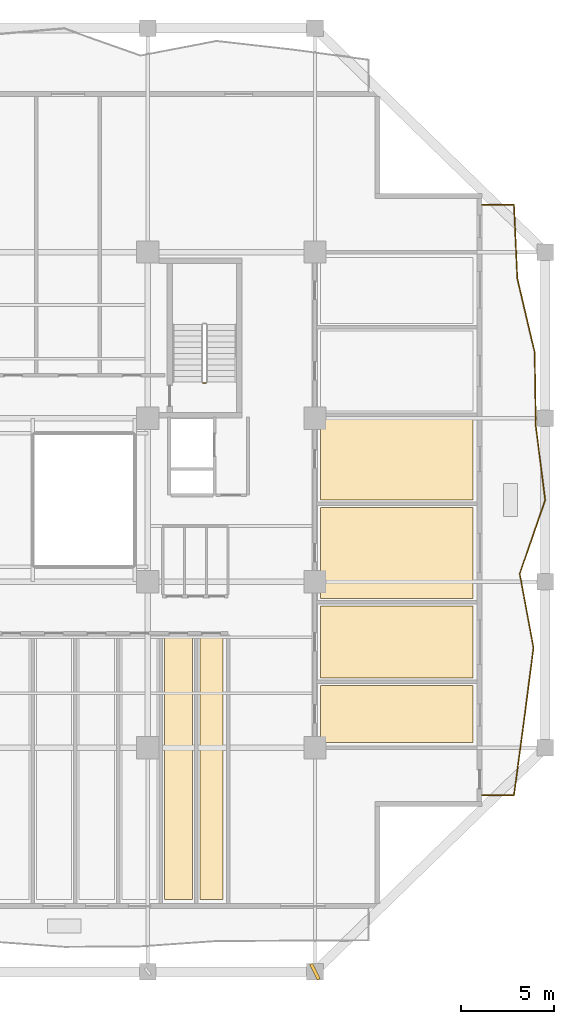
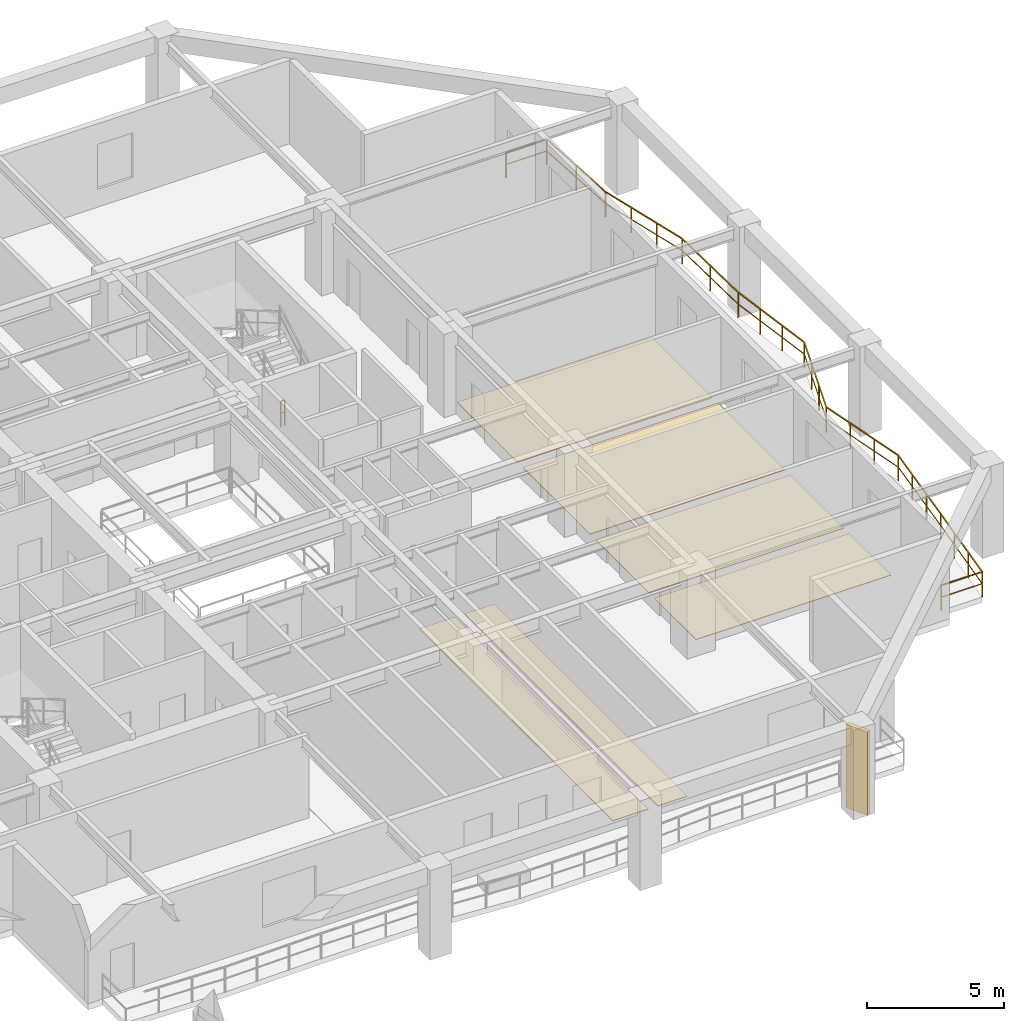
# One storey, part 11 of 14: 6 coverings, 2 railings, 1 shading device.
"""IFC4 building model written with IfcOpenShell, lengths in metres."""

from ifc_helpers import new_model, si_unit, direction, frame, origin, origin_2d, place, context, subcontext, project, spatial, polyline, rectangle, outline, extrude, material, layer, layer_set, type_object, element, save


model = new_model("IFC4")

# Units and contexts
model_context = context("Model", 3, precision=1e-05, world=origin(), true_north=direction((0.0, 1.0)))
body_context = subcontext(model_context, "Body", "Model", "MODEL_VIEW")
ifc_project = project(units=[si_unit("LENGTHUNIT", "METRE"), si_unit("AREAUNIT", "SQUARE_METRE"), si_unit("VOLUMEUNIT", "CUBIC_METRE"), si_unit("PLANEANGLEUNIT", "RADIAN"), si_unit("MASSUNIT", "GRAM", prefix="KILO")], contexts=[model_context])

# Site, building, storey
site_placement = place(None, origin())
site = spatial("IfcSite", under=ifc_project, at=site_placement, CompositionType="ELEMENT")
building_placement = place(site_placement, origin())
building = spatial("IfcBuilding", under=site, at=building_placement, Name="Kundavana Baori Tower", CompositionType="ELEMENT")
storey_placement = place(building_placement, frame((0.0, 0.0, 74.0)))
storey = spatial("IfcBuildingStorey", under=building, at=storey_placement, Name="L17", CompositionType="ELEMENT", Elevation=74.0)

# Coverings
ifc_material_1 = material(Name="Honed Kota Stone and Terrazzo Flooring", Category="masonry")
ifc_layer = layer(ifc_material_1, 0.030029296875, Name="COV-INT-FLR")
ifc_layer_set = layer_set([ifc_layer], Name="Honed Kota Stone and Terrazzo Flooring")
covering_type = type_object("IfcCoveringType", Name="COV-INT-FLR", PredefinedType="FLOORING", material=ifc_layer_set)
covering_1_placement = place(storey_placement, origin())
element("IfcCovering", 1, at=covering_1_placement, inside=storey, type_object=covering_type, Name="L17 Room Finished Stone Flooring 11", PredefinedType="FLOORING", context=body_context, shape_type="SweptSolid", body=[
    extrude(outline(polyline([(34.699951171875, 7.080078125), (36.199951171875, 7.080078125), (36.199951171875, 21.199951171875), (34.699951171875, 21.199951171875), (34.699951171875, 7.080078125)])), origin(), (0.0, 0.0, 1.0), 0.030029296875),
])
covering_2_placement = place(storey_placement, origin())
element("IfcCovering", 2, at=covering_2_placement, inside=storey, type_object=covering_type, Name="L17 Room Finished Stone Flooring 12", PredefinedType="FLOORING", context=body_context, shape_type="SweptSolid", body=[
    extrude(outline(polyline([(36.60009765625, 7.080078125), (37.840087890625, 7.080078125), (37.840087890625, 21.199951171875), (36.60009765625, 21.199951171875), (36.60009765625, 7.080078125)])), origin(), (0.0, 0.0, 1.0), 0.030029296875),
])
covering_3_placement = place(storey_placement, origin())
element("IfcCovering", 3, at=covering_3_placement, inside=storey, type_object=covering_type, Name="L17 Room Finished Stone Flooring 13", PredefinedType="FLOORING", context=body_context, shape_type="SweptSolid", body=[
    extrude(outline(polyline([(43.10009765625, 15.550048828125), (51.320068359375, 15.550048828125), (51.320068359375, 18.60009765625), (43.10009765625, 18.60009765625), (43.10009765625, 15.550048828125)])), origin(), (0.0, 0.0, 1.0), 0.030029296875),
])
covering_4_placement = place(storey_placement, origin())
element("IfcCovering", 4, at=covering_4_placement, inside=storey, type_object=covering_type, Name="L17 Room Finished Stone Flooring 14", PredefinedType="FLOORING", context=body_context, shape_type="SweptSolid", body=[
    extrude(outline(polyline([(43.10009765625, 19.0), (51.320068359375, 19.0), (51.320068359375, 22.89990234375), (43.10009765625, 22.89990234375), (43.10009765625, 19.0)])), origin(), (0.0, 0.0, 1.0), 0.030029296875),
])
covering_5_placement = place(storey_placement, origin())
element("IfcCovering", 5, at=covering_5_placement, inside=storey, type_object=covering_type, Name="L17 Room Finished Stone Flooring 15", PredefinedType="FLOORING", context=body_context, shape_type="SweptSolid", body=[
    extrude(outline(polyline([(43.10009765625, 23.300048828125), (51.320068359375, 23.300048828125), (51.320068359375, 28.199951171875), (43.10009765625, 28.199951171875), (43.10009765625, 23.300048828125)])), origin(), (0.0, 0.0, 1.0), 0.030029296875),
])
covering_6_placement = place(storey_placement, origin())
element("IfcCovering", 6, at=covering_6_placement, inside=storey, type_object=covering_type, Name="L17 Room Finished Stone Flooring 16", PredefinedType="FLOORING", context=body_context, shape_type="SweptSolid", body=[
    extrude(outline(polyline([(43.10009765625, 28.60009765625), (51.320068359375, 28.60009765625), (51.320068359375, 33.0), (43.10009765625, 33.0), (43.10009765625, 28.60009765625)])), origin(), (0.0, 0.0, 1.0), 0.030029296875),
])

# Railings
ifc_material_2 = material(Name="Architectural Patinated Bronze Metalwork")
railing_type_1 = type_object("IfcRailingType", Name="RL-BAL-1150", PredefinedType="BALUSTRADE", material=ifc_material_2)
railing_1_placement = place(storey_placement, frame((51.800048828125, 44.5, 0.0)))
element("IfcRailing", 7, at=railing_1_placement, inside=storey, type_object=railing_type_1, Name="L17 Loggia Balcony Balustrade E", PredefinedType="BALUSTRADE", context=body_context, shape_type="SweptSolid", body=[
    extrude(rectangle(XDim=0.048095703125, YDim=0.048095703125, at=origin_2d()), frame((0.0, 0.0, 1.1259765625), z_axis=(1.0, 0.0, 0.0), x_axis=(0.0, 1.0, 0.0)), (0.0, 0.0, 1.0), 1.719970703125),
    extrude(rectangle(XDim=0.03125, YDim=0.03125, at=origin_2d()), frame((0.0, 0.0, 0.597900390625), z_axis=(1.0, 0.0, 0.0), x_axis=(0.0, 1.0, 0.0)), (0.0, 0.0, 1.0), 1.719970703125),
    extrude(rectangle(XDim=0.048095703125, YDim=0.048095703125, at=origin_2d()), frame((1.719970703125, 0.0, 1.1259765625), z_axis=(0.045708226904, -0.998954832809, 0.0), x_axis=(0.998954832809, 0.045708226904, 0.0)), (0.0, 0.0, 1.0), 3.979248046875),
    extrude(rectangle(XDim=0.03125, YDim=0.03125, at=origin_2d()), frame((1.719970703125, 0.0, 0.597900390625), z_axis=(0.045708226904, -0.998954832809, 0.0), x_axis=(0.998954832809, 0.045708226904, 0.0)), (0.0, 0.0, 1.0), 3.979248046875),
    extrude(rectangle(XDim=0.048095703125, YDim=0.048095703125, at=origin_2d()), frame((1.90185546875, -3.97509765625, 1.1259765625), z_axis=(0.228766043642, -0.973481431398, 0.0), x_axis=(0.973481431398, 0.228766043642, 0.0)), (0.0, 0.0, 1.0), 4.083251953125),
    extrude(rectangle(XDim=0.03125, YDim=0.03125, at=origin_2d()), frame((1.90185546875, -3.97509765625, 0.597900390625), z_axis=(0.228766043642, -0.973481431398, 0.0), x_axis=(0.973481431398, 0.228766043642, 0.0)), (0.0, 0.0, 1.0), 4.083251953125),
    extrude(rectangle(XDim=0.048095703125, YDim=0.048095703125, at=origin_2d()), frame((2.8359375, -7.949951171875, 1.1259765625), z_axis=(0.015843730248, -0.999874480228, 0.0), x_axis=(0.999874480228, 0.015843730248, 0.0)), (0.0, 0.0, 1.0), 3.9755859375),
    extrude(rectangle(XDim=0.03125, YDim=0.03125, at=origin_2d()), frame((2.8359375, -7.949951171875, 0.597900390625), z_axis=(0.015843730248, -0.999874480228, 0.0), x_axis=(0.999874480228, 0.015843730248, 0.0)), (0.0, 0.0, 1.0), 3.9755859375),
    extrude(rectangle(XDim=0.048095703125, YDim=0.048095703125, at=origin_2d()), frame((2.89892578125, -11.925048828125, 1.1259765625), z_axis=(0.125047197933, -0.992150794128, 0.0), x_axis=(0.992150794128, 0.125047197933, 0.0)), (0.0, 0.0, 1.0), 4.00634765625),
    extrude(rectangle(XDim=0.03125, YDim=0.03125, at=origin_2d()), frame((2.89892578125, -11.925048828125, 0.597900390625), z_axis=(0.125047197933, -0.992150794128, 0.0), x_axis=(0.992150794128, 0.125047197933, 0.0)), (0.0, 0.0, 1.0), 4.00634765625),
    extrude(rectangle(XDim=0.048095703125, YDim=0.048095703125, at=origin_2d()), frame((3.39990234375, -15.89990234375, 1.1259765625), z_axis=(-0.325394623891, -0.945578309154, 0.0), x_axis=(0.945578309154, -0.325394623891, 0.0)), (0.0, 0.0, 1.0), 4.203857421875),
    extrude(rectangle(XDim=0.03125, YDim=0.03125, at=origin_2d()), frame((3.39990234375, -15.89990234375, 0.597900390625), z_axis=(-0.325394623891, -0.945578309154, 0.0), x_axis=(0.945578309154, -0.325394623891, 0.0)), (0.0, 0.0, 1.0), 4.203857421875),
    extrude(rectangle(XDim=0.048095703125, YDim=0.048095703125, at=origin_2d()), frame((2.031982421875, -19.875, 1.1259765625), z_axis=(0.183012420576, -0.983110601059, 0.0), x_axis=(0.983110601059, 0.183012420576, 0.0)), (0.0, 0.0, 1.0), 4.04345703125),
    extrude(rectangle(XDim=0.03125, YDim=0.03125, at=origin_2d()), frame((2.031982421875, -19.875, 0.597900390625), z_axis=(0.183012420576, -0.983110601059, 0.0), x_axis=(0.983110601059, 0.183012420576, 0.0)), (0.0, 0.0, 1.0), 4.04345703125),
    extrude(rectangle(XDim=0.048095703125, YDim=0.048095703125, at=origin_2d()), frame((2.77197265625, -23.85009765625, 1.1259765625), z_axis=(-0.12822452981, -0.991745163817, 0.0), x_axis=(0.991745163817, -0.12822452981, 0.0)), (0.0, 0.0, 1.0), 4.008056640625),
    extrude(rectangle(XDim=0.03125, YDim=0.03125, at=origin_2d()), frame((2.77197265625, -23.85009765625, 0.597900390625), z_axis=(-0.12822452981, -0.991745163817, 0.0), x_axis=(0.991745163817, -0.12822452981, 0.0)), (0.0, 0.0, 1.0), 4.008056640625),
    extrude(rectangle(XDim=0.048095703125, YDim=0.048095703125, at=origin_2d()), frame((2.258056640625, -27.824951171875, 1.1259765625), z_axis=(-0.134140822045, -0.990962279737, 0.0), x_axis=(0.990962279737, -0.134140822045, 0.0)), (0.0, 0.0, 1.0), 4.01123046875),
    extrude(rectangle(XDim=0.03125, YDim=0.03125, at=origin_2d()), frame((2.258056640625, -27.824951171875, 0.597900390625), z_axis=(-0.134140822045, -0.990962279737, 0.0), x_axis=(0.990962279737, -0.134140822045, 0.0)), (0.0, 0.0, 1.0), 4.01123046875),
    extrude(rectangle(XDim=0.048095703125, YDim=0.048095703125, at=origin_2d()), frame((1.719970703125, -31.800048828125, 1.1259765625), z_axis=(-1.0, 0.0, 0.0), x_axis=(0.0, -1.0, 0.0)), (0.0, 0.0, 1.0), 1.719970703125),
    extrude(rectangle(XDim=0.03125, YDim=0.03125, at=origin_2d()), frame((1.719970703125, -31.800048828125, 0.597900390625), z_axis=(-1.0, 0.0, 0.0), x_axis=(0.0, -1.0, 0.0)), (0.0, 0.0, 1.0), 1.719970703125),
    extrude(rectangle(XDim=0.0419921875, YDim=0.0419921875, at=origin_2d()), origin(), (0.0, 0.0, 1.0), 1.101806640625),
    extrude(rectangle(XDim=0.0419921875, YDim=0.0419921875, at=origin_2d()), frame((1.719970703125, 0.0, 0.0)), (0.0, 0.0, 1.0), 1.101806640625),
    extrude(rectangle(XDim=0.0419921875, YDim=0.0419921875, at=origin_2d()), frame((1.81103515625, -1.987548828125, 0.0)), (0.0, 0.0, 1.0), 1.101806640625),
    extrude(rectangle(XDim=0.0419921875, YDim=0.0419921875, at=origin_2d()), frame((1.90185546875, -3.97509765625, 0.0)), (0.0, 0.0, 1.0), 1.101806640625),
    extrude(rectangle(XDim=0.0419921875, YDim=0.0419921875, at=origin_2d()), frame((2.213134765625, -5.300048828125, 0.0)), (0.0, 0.0, 1.0), 1.101806640625),
    extrude(rectangle(XDim=0.0419921875, YDim=0.0419921875, at=origin_2d()), frame((2.524658203125, -6.625, 0.0)), (0.0, 0.0, 1.0), 1.101806640625),
    extrude(rectangle(XDim=0.0419921875, YDim=0.0419921875, at=origin_2d()), frame((2.8359375, -7.949951171875, 0.0)), (0.0, 0.0, 1.0), 1.101806640625),
    extrude(rectangle(XDim=0.0419921875, YDim=0.0419921875, at=origin_2d()), frame((2.867431640625, -9.9375, 0.0)), (0.0, 0.0, 1.0), 1.101806640625),
    extrude(rectangle(XDim=0.0419921875, YDim=0.0419921875, at=origin_2d()), frame((2.89892578125, -11.925048828125, 0.0)), (0.0, 0.0, 1.0), 1.101806640625),
    extrude(rectangle(XDim=0.0419921875, YDim=0.0419921875, at=origin_2d()), frame((3.06591796875, -13.25, 0.0)), (0.0, 0.0, 1.0), 1.101806640625),
    extrude(rectangle(XDim=0.0419921875, YDim=0.0419921875, at=origin_2d()), frame((3.23291015625, -14.574951171875, 0.0)), (0.0, 0.0, 1.0), 1.101806640625),
    extrude(rectangle(XDim=0.0419921875, YDim=0.0419921875, at=origin_2d()), frame((3.39990234375, -15.89990234375, 0.0)), (0.0, 0.0, 1.0), 1.101806640625),
    extrude(rectangle(XDim=0.0419921875, YDim=0.0419921875, at=origin_2d()), frame((2.94384765625, -17.224853515625, 0.0)), (0.0, 0.0, 1.0), 1.101806640625),
    extrude(rectangle(XDim=0.0419921875, YDim=0.0419921875, at=origin_2d()), frame((2.488037109375, -18.550048828125, 0.0)), (0.0, 0.0, 1.0), 1.101806640625),
    extrude(rectangle(XDim=0.0419921875, YDim=0.0419921875, at=origin_2d()), frame((2.031982421875, -19.875, 0.0)), (0.0, 0.0, 1.0), 1.101806640625),
    extrude(rectangle(XDim=0.0419921875, YDim=0.0419921875, at=origin_2d()), frame((2.278564453125, -21.199951171875, 0.0)), (0.0, 0.0, 1.0), 1.101806640625),
    extrude(rectangle(XDim=0.0419921875, YDim=0.0419921875, at=origin_2d()), frame((2.525390625, -22.525146484375, 0.0)), (0.0, 0.0, 1.0), 1.101806640625),
    extrude(rectangle(XDim=0.0419921875, YDim=0.0419921875, at=origin_2d()), frame((2.77197265625, -23.85009765625, 0.0)), (0.0, 0.0, 1.0), 1.101806640625),
    extrude(rectangle(XDim=0.0419921875, YDim=0.0419921875, at=origin_2d()), frame((2.6005859375, -25.175048828125, 0.0)), (0.0, 0.0, 1.0), 1.101806640625),
    extrude(rectangle(XDim=0.0419921875, YDim=0.0419921875, at=origin_2d()), frame((2.429443359375, -26.5, 0.0)), (0.0, 0.0, 1.0), 1.101806640625),
    extrude(rectangle(XDim=0.0419921875, YDim=0.0419921875, at=origin_2d()), frame((2.258056640625, -27.824951171875, 0.0)), (0.0, 0.0, 1.0), 1.101806640625),
    extrude(rectangle(XDim=0.0419921875, YDim=0.0419921875, at=origin_2d()), frame((2.07861328125, -29.14990234375, 0.0)), (0.0, 0.0, 1.0), 1.101806640625),
    extrude(rectangle(XDim=0.0419921875, YDim=0.0419921875, at=origin_2d()), frame((1.8994140625, -30.47509765625, 0.0)), (0.0, 0.0, 1.0), 1.101806640625),
    extrude(rectangle(XDim=0.0419921875, YDim=0.0419921875, at=origin_2d()), frame((1.719970703125, -31.800048828125, 0.0)), (0.0, 0.0, 1.0), 1.101806640625),
    extrude(rectangle(XDim=0.0419921875, YDim=0.0419921875, at=origin_2d()), frame((0.0, -31.800048828125, 0.0)), (0.0, 0.0, 1.0), 1.101806640625),
])
ifc_material_3 = material(Name="Architectural Patinated Bronze Metalwork")
railing_type_2 = type_object("IfcRailingType", Name="RL-GRD-1150", PredefinedType="GUARDRAIL", material=ifc_material_3)
railing_2_placement = place(storey_placement, frame((36.929931640625, 34.89990234375, 0.0)))
element("IfcRailing", 8, at=railing_2_placement, inside=storey, type_object=railing_type_2, Name="L17 ST3 stair guard 4", PredefinedType="GUARDRAIL", context=body_context, shape_type="SweptSolid", body=[
    extrude(rectangle(XDim=0.048095703125, YDim=0.048095703125, at=origin_2d()), frame((0.0, 0.0, 1.1259765625), z_axis=(-1.0, 0.0, 0.0), x_axis=(0.0, -1.0, 0.0)), (0.0, 0.0, 1.0), 0.159912109375),
    extrude(rectangle(XDim=0.03125, YDim=0.03125, at=origin_2d()), frame((0.0, 0.0, 0.597900390625), z_axis=(-1.0, 0.0, 0.0), x_axis=(0.0, -1.0, 0.0)), (0.0, 0.0, 1.0), 0.159912109375),
    extrude(rectangle(XDim=0.0419921875, YDim=0.0419921875, at=origin_2d()), origin(), (0.0, 0.0, 1.0), 1.101806640625),
    extrude(rectangle(XDim=0.0419921875, YDim=0.0419921875, at=origin_2d()), frame((-0.159912109375, 0.0, 0.0)), (0.0, 0.0, 1.0), 1.101806640625),
])

# Shading device
ifc_material_4 = material(Name="Red-Buff Dholpur Sandstone Cladding on Concrete C40/50", Category="masonry")
shading_device_type = type_object("IfcShadingDeviceType", Name="SHD-FIN-920", PredefinedType="JALOUSIE", material=ifc_material_4)
shading_device_placement = place(storey_placement, frame((42.800048828125, 3.199951171875, 0.0), z_axis=(0.0, 0.0, 1.0), x_axis=(0.891085746907, 0.453834982851, 0.0)))
element("IfcShadingDevice", 9, at=shading_device_placement, inside=storey, type_object=shading_device_type, Name="L17 Sweeping Dholpur Sandstone Facade Fin 4", PredefinedType="JALOUSIE", context=body_context, shape_type="SweptSolid", body=[
    extrude(rectangle(XDim=0.179931640625, YDim=0.919921875, at=origin_2d()), origin(), (0.0, 0.0, 1.0), 3.719970703125),
])

save(model, "model.ifc")
